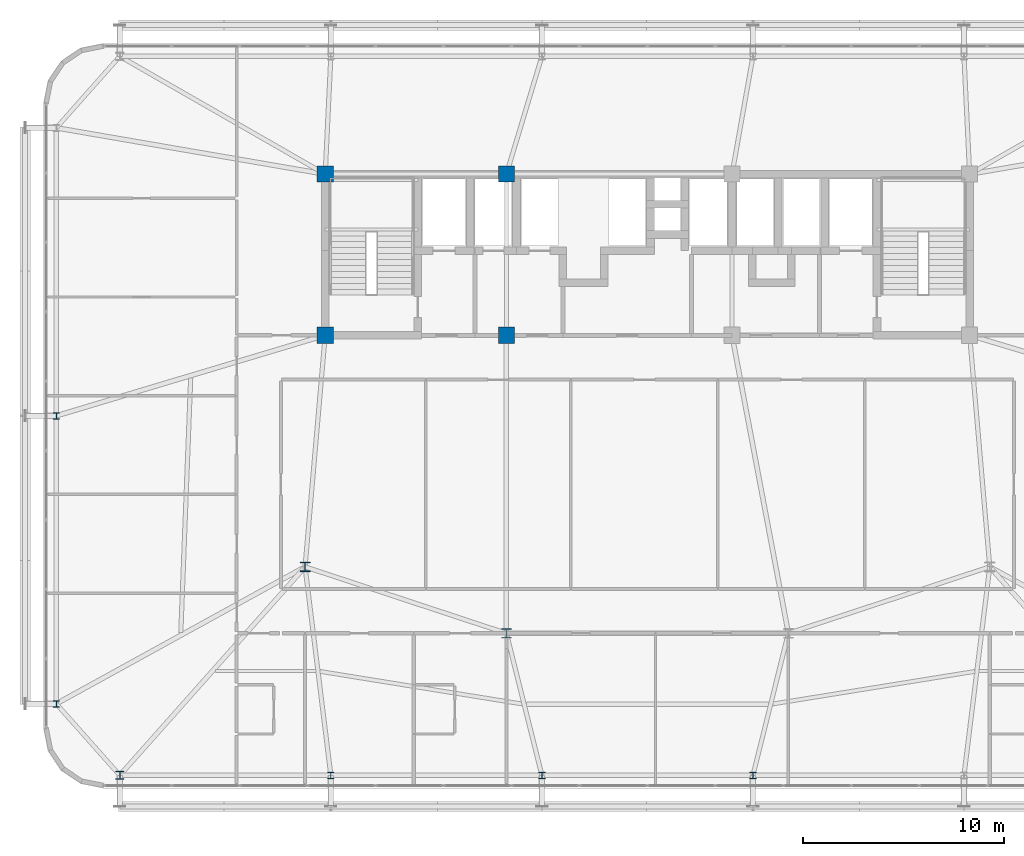
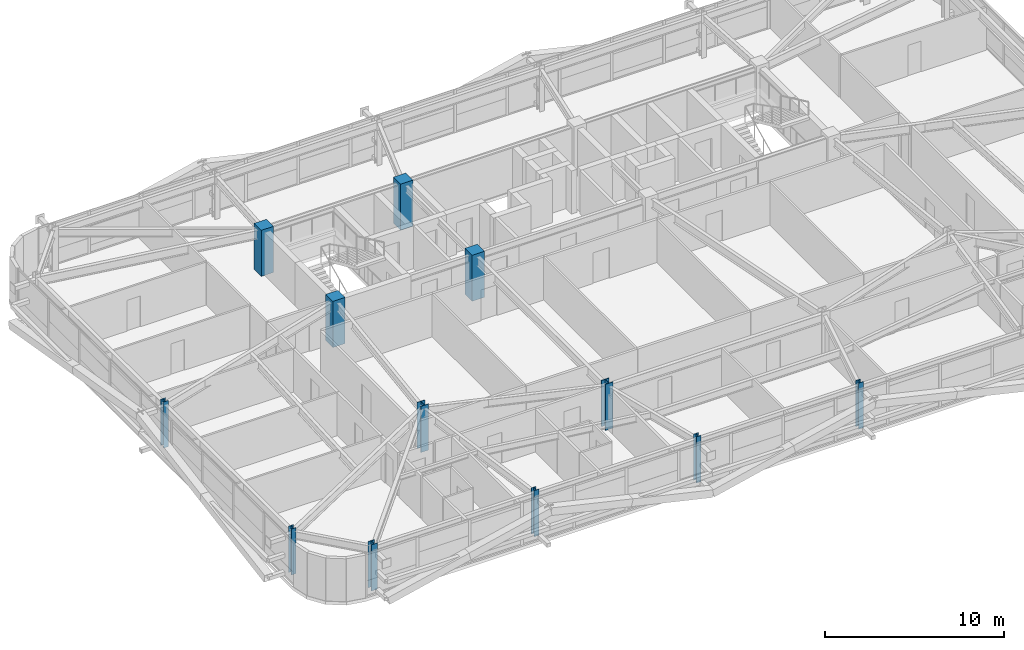
# One storey, part 1 of 58: 12 columns.
"""IFC4 building model written with IfcOpenShell, lengths in metres."""

import ifcopenshell
import ifcopenshell.guid

model = None  # the IFC model being written
_history = None  # IfcOwnerHistory: only IFC2X3 demands one
_inside = {}  # id of a spatial element -> (the spatial element, [elements in it])
_under = {}  # id of a project, library or spatial element -> (it, [spatial elements below it])
_declared = {}  # id of a project -> (the project, [libraries it declares])
_typed = {}  # id of a type object -> (the type object, [elements of that type])
_made_of = {}  # id of a material, layer set ... -> (it, [elements and type objects made of it])


def new_model(schema):
    """Start an empty IFC model of exactly this schema.

    Asked for "IFC4X3", IfcOpenShell would pick the latest addendum, in which some entities
    have other attributes; the version numbers below select the first issue.
    IFC2X3 requires an IfcOwnerHistory on every rooted entity: one is made here for all.
    """
    global model, _history
    if schema == "IFC4X3":
        model = ifcopenshell.file(schema_version=(4, 3, 0, 0))
    else:
        model = ifcopenshell.file(schema=schema)
    _inside.clear()
    _under.clear()
    _declared.clear()
    _typed.clear()
    _made_of.clear()
    _history = None
    if model.schema == "IFC2X3":
        org = make("IfcOrganization", Name="unknown")
        user = make(
            "IfcPersonAndOrganization",
            ThePerson=make("IfcPerson", FamilyName="unknown"),
            TheOrganization=org,
        )
        app = make(
            "IfcApplication",
            ApplicationDeveloper=org,
            Version="unknown",
            ApplicationFullName="unknown",
            ApplicationIdentifier="unknown",
        )
        _history = make(
            "IfcOwnerHistory",
            OwningUser=user,
            OwningApplication=app,
            ChangeAction="ADDED",
            CreationDate=0,
        )
    return model


def make(cls, **values):
    """One entity of the class cls with the attributes given. An attribute that is None is left unset."""
    return model.create_entity(
        cls, **{name: value for name, value in values.items() if value is not None}
    )


def rooted(cls, **values):
    """An entity with a GlobalId (a new one), such as an element, a storey or a relation."""
    return make(cls, GlobalId=ifcopenshell.guid.new(), OwnerHistory=_history, **values)


def si_unit(unit_type, name, prefix=None):
    """IfcSIUnit, for example si_unit("LENGTHUNIT", "METRE", prefix="MILLI")."""
    return make("IfcSIUnit", UnitType=unit_type, Prefix=prefix, Name=name)


def assignment(units):
    """IfcUnitAssignment: the units of a project."""
    return None if units is None else make("IfcUnitAssignment", Units=units)


def point(xyz):
    """IfcCartesianPoint."""
    return None if xyz is None else make("IfcCartesianPoint", Coordinates=xyz)


def direction(xyz):
    """IfcDirection."""
    return None if xyz is None else make("IfcDirection", DirectionRatios=xyz)


def frame(location, z_axis=None, x_axis=None):
    """IfcAxis2Placement3D, a coordinate frame: its origin and axes. An axis left out is left unset."""
    return make(
        "IfcAxis2Placement3D",
        Location=point(location),
        Axis=direction(z_axis),
        RefDirection=direction(x_axis),
    )


def frame_2d(location, x_axis=None):
    """IfcAxis2Placement2D, a coordinate frame in the plane: its origin and x axis."""
    return make(
        "IfcAxis2Placement2D", Location=point(location), RefDirection=direction(x_axis)
    )


def origin():
    """The frame at (0, 0, 0) with its axes left unset."""
    return frame((0.0, 0.0, 0.0))


def origin_2d():
    """The frame at (0, 0) in the plane with its x axis left unset."""
    return frame_2d((0.0, 0.0))


def place(relative_to, where):
    """IfcLocalPlacement: puts the frame where relative to a parent placement (None: the world)."""
    return make(
        "IfcLocalPlacement", PlacementRelTo=relative_to, RelativePlacement=where
    )


def context(
    kind, dimensions, precision=None, world=None, true_north=None, identifier=None
):
    """IfcGeometricRepresentationContext, for example the 3D "Model" context."""
    return make(
        "IfcGeometricRepresentationContext",
        ContextIdentifier=identifier,
        ContextType=kind,
        CoordinateSpaceDimension=dimensions,
        Precision=precision,
        WorldCoordinateSystem=world,
        TrueNorth=true_north,
    )


def subcontext(parent, identifier, kind, view, scale=None):
    """IfcGeometricRepresentationSubContext, for example "Body" below "Model"."""
    return make(
        "IfcGeometricRepresentationSubContext",
        ContextIdentifier=identifier,
        ContextType=kind,
        ParentContext=parent,
        TargetScale=scale,
        TargetView=view,
    )


def project(units=None, contexts=None):
    """IfcProject with its units and contexts."""
    return rooted(
        "IfcProject",
        Name="project",
        RepresentationContexts=contexts,
        UnitsInContext=assignment(units),
    )


def spatial(cls, under=None, at=None, **own):
    """A site, building, storey or space (cls), placed at a placement, below another one or the project."""
    s = rooted(cls, ObjectPlacement=at, **own)
    if under is not None:
        _under.setdefault(under.id(), (under, []))[1].append(s)
    return s


def profile(cls, at=None, kind="AREA", **sizes):
    """A parametric profile (cls). Its sizes go by their IFC names, for example OverallWidth=200.0."""
    return make(cls, ProfileType=kind, Position=at, **sizes)


def rectangle(**sizes):
    """IfcRectangleProfileDef."""
    return profile("IfcRectangleProfileDef", **sizes)


def i_section(**sizes):
    """IfcIShapeProfileDef."""
    return profile("IfcIShapeProfileDef", **sizes)


def extrude(swept, where, along, depth):
    """IfcExtrudedAreaSolid: the profile swept, set in the frame where, extruded along a direction by depth."""
    return make(
        "IfcExtrudedAreaSolid",
        SweptArea=swept,
        Position=where,
        ExtrudedDirection=direction(along),
        Depth=depth,
    )


def shape(context_of_items, identifier, shape_type, items):
    """IfcShapeRepresentation: the items that make up one representation, for example the "Body"."""
    return make(
        "IfcShapeRepresentation",
        ContextOfItems=context_of_items,
        RepresentationIdentifier=identifier,
        RepresentationType=shape_type,
        Items=items,
    )


def source(mapping_origin, context_of_items, identifier, shape_type, items):
    """IfcRepresentationMap: a shape defined once, which mapped items show again and again."""
    return make(
        "IfcRepresentationMap",
        MappingOrigin=mapping_origin,
        MappedRepresentation=shape(context_of_items, identifier, shape_type, items),
    )


def transform(
    local_origin,
    x_axis=None,
    y_axis=None,
    z_axis=None,
    scale=None,
    scale2=None,
    scale3=None,
    uniform=True,
):
    """IfcCartesianTransformationOperator3D, or its non-uniform kind. x_axis, y_axis, z_axis: its Axis1, 2, 3."""
    if uniform:
        return make(
            "IfcCartesianTransformationOperator3D",
            Axis1=direction(x_axis),
            Axis2=direction(y_axis),
            LocalOrigin=point(local_origin),
            Scale=scale,
            Axis3=direction(z_axis),
        )
    return make(
        "IfcCartesianTransformationOperator3DnonUniform",
        Axis1=direction(x_axis),
        Axis2=direction(y_axis),
        LocalOrigin=point(local_origin),
        Scale=scale,
        Axis3=direction(z_axis),
        Scale2=scale2,
        Scale3=scale3,
    )


def mapped(mapping_source, mapping_target):
    """IfcMappedItem: shows the shape of a source again, moved by a transform."""
    return make(
        "IfcMappedItem", MappingSource=mapping_source, MappingTarget=mapping_target
    )


def material(Name=None, Category=None):
    """IfcMaterial."""
    return make("IfcMaterial", Name=Name, Category=Category)


def material_profile(
    of_material, cross_section, Name=None, Category=None, Priority=None
):
    """IfcMaterialProfile: a cross section and its material."""
    return make(
        "IfcMaterialProfile",
        Name=Name,
        Material=of_material,
        Profile=cross_section,
        Priority=Priority,
        Category=Category,
    )


def profile_set(profiles, Name=None, composite=None):
    """IfcMaterialProfileSet."""
    return make(
        "IfcMaterialProfileSet",
        Name=Name,
        MaterialProfiles=profiles,
        CompositeProfile=composite,
    )


def made_of(thing, what):
    """Note that an element or type object is made of a material, layer set ...; save() writes the relation."""
    if what is not None:
        _made_of.setdefault(what.id(), (what, []))[1].append(thing)
    return thing


def type_object(cls, material=None, **own):
    """A type object (cls), such as IfcWallType, which elements share."""
    return made_of(rooted(cls, **own), material)


def element(
    cls,
    number,
    at=None,
    inside=None,
    cuts=None,
    type_object=None,
    material=None,
    context=None,
    identifier="Body",
    shape_type=None,
    held_by="IfcProductDefinitionShape",
    body=None,
    shapes=None,
    **own,
):
    """One element of the class cls, such as IfcWall. Its Tag is "e" and its number.

    at: its placement. inside: the storey or other place that contains it. cuts: it is an
    opening in that element (IfcRelVoidsElement). A single representation is given by context,
    identifier, shape_type and body (its items); several are given by shapes. held_by: the class
    of the entity that holds the representations. save() writes the other relations.
    """
    e = rooted(cls, Tag="e%d" % number, ObjectPlacement=at, **own)
    if body is not None:
        shapes = [shape(context, identifier, shape_type, body)]
    if shapes is not None:
        e.Representation = make(held_by, Representations=shapes)
    if inside is not None:
        _inside.setdefault(inside.id(), (inside, []))[1].append(e)
    if cuts is not None:
        rooted(
            "IfcRelVoidsElement", RelatingBuildingElement=cuts, RelatedOpeningElement=e
        )
    if type_object is not None:
        _typed.setdefault(type_object.id(), (type_object, []))[1].append(e)
    return made_of(e, material)


def aggregate(whole, parts):
    """IfcRelAggregates: a whole, such as a stair, and the parts it consists of."""
    return rooted("IfcRelAggregates", RelatingObject=whole, RelatedObjects=parts)


def save(model, path):
    """Write the relations noted so far, then the file.

    IfcRelAggregates (storeys below a building ...), IfcRelContainedInSpatialStructure (elements
    in a storey), IfcRelDefinesByType, IfcRelAssociatesMaterial and IfcRelDeclares: one each for
    every whole, place, type object, material and project.
    """
    for whole, parts in _under.values():
        aggregate(whole, parts)
    for where, things in _inside.values():
        rooted(
            "IfcRelContainedInSpatialStructure",
            RelatedElements=things,
            RelatingStructure=where,
        )
    for kind, things in _typed.values():
        rooted("IfcRelDefinesByType", RelatedObjects=things, RelatingType=kind)
    for what, things in _made_of.values():
        rooted("IfcRelAssociatesMaterial", RelatedObjects=things, RelatingMaterial=what)
    for by, libraries in _declared.values():
        rooted("IfcRelDeclares", RelatingContext=by, RelatedDefinitions=libraries)
    model.write(path)


model = new_model("IFC4")

# Units and contexts
model_context = context("Model", 3, precision=1e-05, world=origin(), true_north=direction((0.0, 1.0)))
body_context = subcontext(model_context, "Body", "Model", "MODEL_VIEW")
ifc_project = project(units=[si_unit("LENGTHUNIT", "METRE"), si_unit("AREAUNIT", "SQUARE_METRE"), si_unit("VOLUMEUNIT", "CUBIC_METRE"), si_unit("PLANEANGLEUNIT", "RADIAN"), si_unit("MASSUNIT", "GRAM", prefix="KILO")], contexts=[model_context])

# Site, building, storey
site_placement = place(None, origin())
site = spatial("IfcSite", under=ifc_project, at=site_placement, CompositionType="ELEMENT")
building_placement = place(site_placement, origin())
building = spatial("IfcBuilding", under=site, at=building_placement, Name="Taldren Reach Tower", CompositionType="ELEMENT")
storey_placement = place(building_placement, frame((0.0, 0.0, 35.699951171875)))
storey = spatial("IfcBuildingStorey", under=building, at=storey_placement, Name="L10", CompositionType="ELEMENT", Elevation=35.699951171875)

# Columns
ifc_material_1 = material(Name="Concrete S65 (65 MPa)", Category="concrete")
ifc_material_profile_1 = material_profile(ifc_material_1, rectangle(XDim=0.800048828125, YDim=0.800048828125, at=origin_2d()), Name="RC-800x800")
ifc_profile_set_1 = profile_set([ifc_material_profile_1], Name="Concrete S65 (65 MPa)")
column_type_1 = type_object("IfcColumnType", Name="COL-RC800", PredefinedType="COLUMN", material=ifc_profile_set_1)
shared_shape_1 = source(origin(), body_context, "Body", "SweptSolid", [
    extrude(rectangle(XDim=0.800048828125, YDim=0.800048828125, at=origin_2d()), origin(), (0.0, 0.0, 1.0), 3.150146484375),
])
for number, where, z_axis, x_axis, name in (
    (1, (19.0, 24.0, 0.0), (0.0, 0.0, 1.0), (1.0, 0.0, 0.0), "Mega column MC-C1 L10"),
    (2, (28.0, 24.0, 0.0), (0.0, 0.0, 1.0), (1.0, 0.0, 0.0), "Mega column MC-C2 L10"),
    (3, (19.0, 32.0, 0.0), (0.0, 0.0, 1.0), (1.0, 0.0, 0.0), "Mega column MC-C5 L10"),
    (4, (28.0, 32.0, 0.0), (0.0, 0.0, 1.0), (1.0, 0.0, 0.0), "Mega column MC-C6 L10"),
):
    element("IfcColumn", number, at=place(storey_placement, frame(where, z_axis=z_axis, x_axis=x_axis)), inside=storey, type_object=column_type_1, Name=name, PredefinedType="COLUMN", context=body_context, shape_type="MappedRepresentation", body=[
        mapped(shared_shape_1, transform((0.0, 0.0, 0.0), scale=1.0)),
    ])
ifc_material_2 = material(Name="Steel Gr 350 (350PLUS)", Category="steel")
ifc_material_profile_2 = material_profile(ifc_material_2, i_section(OverallWidth=0.5, OverallDepth=0.47998046875, WebThickness=0.028076171875, FlangeThickness=0.0439453125, at=origin_2d()), Name="500WC440")
ifc_profile_set_2 = profile_set([ifc_material_profile_2], Name="Steel Gr 350 (350PLUS)")
column_type_2 = type_object("IfcColumnType", Name="COL-WC500A", PredefinedType="COLUMN", material=ifc_profile_set_2)
shared_shape_2 = source(origin(), body_context, "Body", "SweptSolid", [
    extrude(i_section(OverallWidth=0.5, OverallDepth=0.47998046875, WebThickness=0.028076171875, FlangeThickness=0.0439453125, at=origin_2d()), origin(), (0.0, 0.0, 1.0), 3.150146484375),
])
column_1_placement = place(storey_placement, frame((28.0, 9.199951171875, 0.0), z_axis=(0.0, 0.0, 1.0), x_axis=(1.0, 0.0, 0.0)))
element("IfcColumn", 5, at=column_1_placement, inside=storey, type_object=column_type_2, Name="Mega column MC-PJW L10", PredefinedType="COLUMN", context=body_context, shape_type="MappedRepresentation", body=[
    mapped(shared_shape_2, transform((0.0, 0.0, 0.0), scale=1.0)),
])
ifc_material_profile_3 = material_profile(ifc_material_2, i_section(OverallWidth=0.39990234375, OverallDepth=0.39599609375, WebThickness=0.02197265625, FlangeThickness=0.033935546875, at=origin_2d()), Name="400WC270")
ifc_profile_set_3 = profile_set([ifc_material_profile_3], Name="Steel Gr 350 (350PLUS)")
column_type_3 = type_object("IfcColumnType", Name="COL-WC400", PredefinedType="COLUMN", material=ifc_profile_set_3)
shared_shape_3 = source(origin(), body_context, "Body", "SweptSolid", [
    extrude(i_section(OverallWidth=0.39990234375, OverallDepth=0.39599609375, WebThickness=0.02197265625, FlangeThickness=0.033935546875, at=origin_2d()), origin(), (0.0, 0.0, 1.0), 3.150146484375),
])
column_2_placement = place(storey_placement, frame((8.800048828125, 2.14990234375, 0.0), z_axis=(0.0, 0.0, 1.0), x_axis=(1.0, 0.0, 0.0)))
element("IfcColumn", 6, at=column_2_placement, inside=storey, type_object=column_type_3, Name="Block B1 perimeter column S1 L10", PredefinedType="COLUMN", context=body_context, shape_type="MappedRepresentation", body=[
    mapped(shared_shape_3, transform((0.0, 0.0, 0.0), scale=1.0)),
])
ifc_material_profile_4 = material_profile(ifc_material_2, i_section(OverallWidth=0.31103515625, OverallDepth=0.326904296875, WebThickness=0.015625, FlangeThickness=0.02490234375, at=origin_2d()), Name="310UC158")
ifc_profile_set_4 = profile_set([ifc_material_profile_4], Name="Steel Gr 350 (350PLUS)")
column_type_4 = type_object("IfcColumnType", Name="COL-UC310A", PredefinedType="COLUMN", material=ifc_profile_set_4)
shared_shape_4 = source(origin(), body_context, "Body", "SweptSolid", [
    extrude(i_section(OverallWidth=0.31103515625, OverallDepth=0.326904296875, WebThickness=0.015625, FlangeThickness=0.02490234375, at=origin_2d()), origin(), (0.0, 0.0, 1.0), 3.150146484375),
])
for number, where, z_axis, x_axis, name in (
    (7, (19.280029296875, 2.14990234375, 0.0), (0.0, 0.0, 1.0), (1.0, 0.0, 0.0), "Block B1 perimeter column S2 L10"),
    (8, (29.760009765625, 2.14990234375, 0.0), (0.0, 0.0, 1.0), (1.0, 0.0, 0.0), "Block B1 perimeter column S3 L10"),
    (9, (40.239990234375, 2.14990234375, 0.0), (0.0, 0.0, 1.0), (1.0, 0.0, 0.0), "Block B1 perimeter column S4 L10"),
    (10, (5.64990234375, 5.699951171875, 0.0), (0.0, 0.0, 1.0), (1.0, 0.0, 0.0), "Block B1 perimeter column W1 L10"),
    (11, (5.64990234375, 20.0, 0.0), (0.0, 0.0, 1.0), (1.0, 0.0, 0.0), "Block B1 perimeter column W2 L10"),
):
    element("IfcColumn", number, at=place(storey_placement, frame(where, z_axis=z_axis, x_axis=x_axis)), inside=storey, type_object=column_type_4, Name=name, PredefinedType="COLUMN", context=body_context, shape_type="MappedRepresentation", body=[
        mapped(shared_shape_4, transform((0.0, 0.0, 0.0), scale=1.0)),
    ])
ifc_material_profile_5 = material_profile(ifc_material_2, i_section(OverallWidth=0.5, OverallDepth=0.464111328125, WebThickness=0.02197265625, FlangeThickness=0.033935546875, at=origin_2d()), Name="500WC340")
ifc_profile_set_5 = profile_set([ifc_material_profile_5], Name="Steel Gr 350 (350PLUS)")
column_type_5 = type_object("IfcColumnType", Name="COL-WC500B", PredefinedType="COLUMN", material=ifc_profile_set_5)
shared_shape_5 = source(origin(), body_context, "Body", "SweptSolid", [
    extrude(i_section(OverallWidth=0.5, OverallDepth=0.464111328125, WebThickness=0.02197265625, FlangeThickness=0.033935546875, at=origin_2d()), origin(), (0.0, 0.0, 1.0), 3.150146484375),
])
column_3_placement = place(storey_placement, frame((18.0, 12.5, 0.0), z_axis=(0.0, 0.0, 1.0), x_axis=(1.0, 0.0, 0.0)))
element("IfcColumn", 12, at=column_3_placement, inside=storey, type_object=column_type_5, Name="Mega column MC-SW L10", PredefinedType="COLUMN", context=body_context, shape_type="MappedRepresentation", body=[
    mapped(shared_shape_5, transform((0.0, 0.0, 0.0), scale=1.0)),
])

save(model, "model.ifc")
